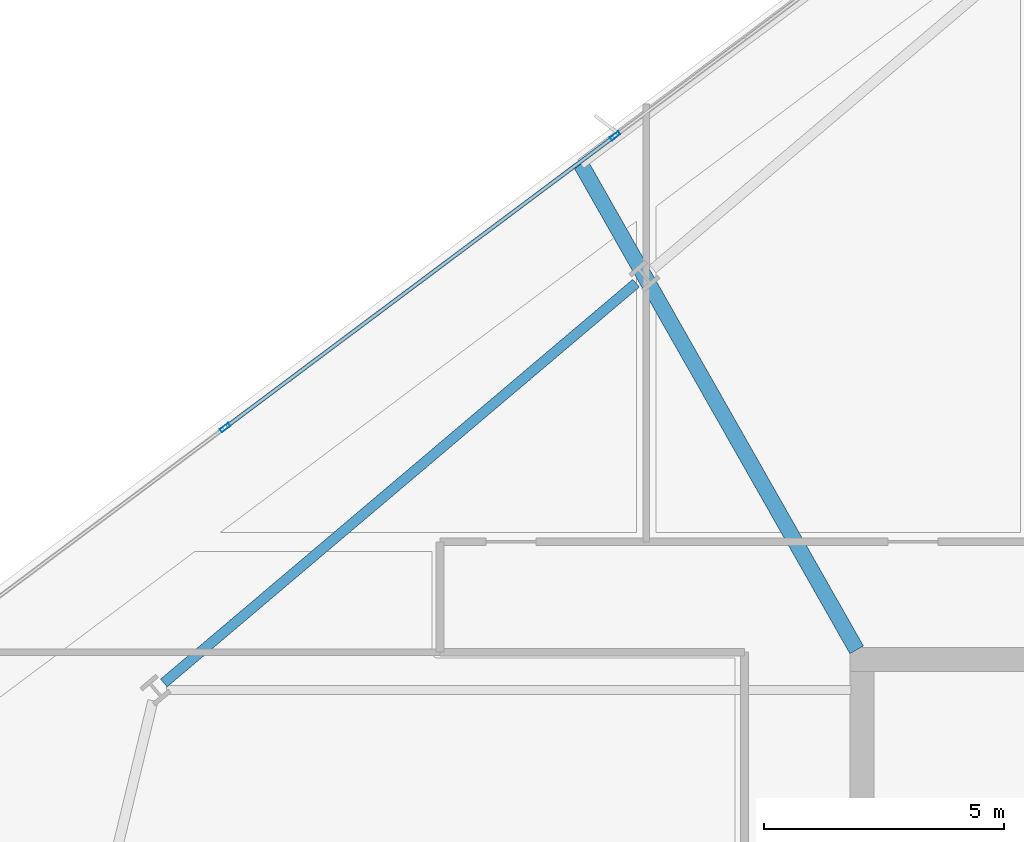
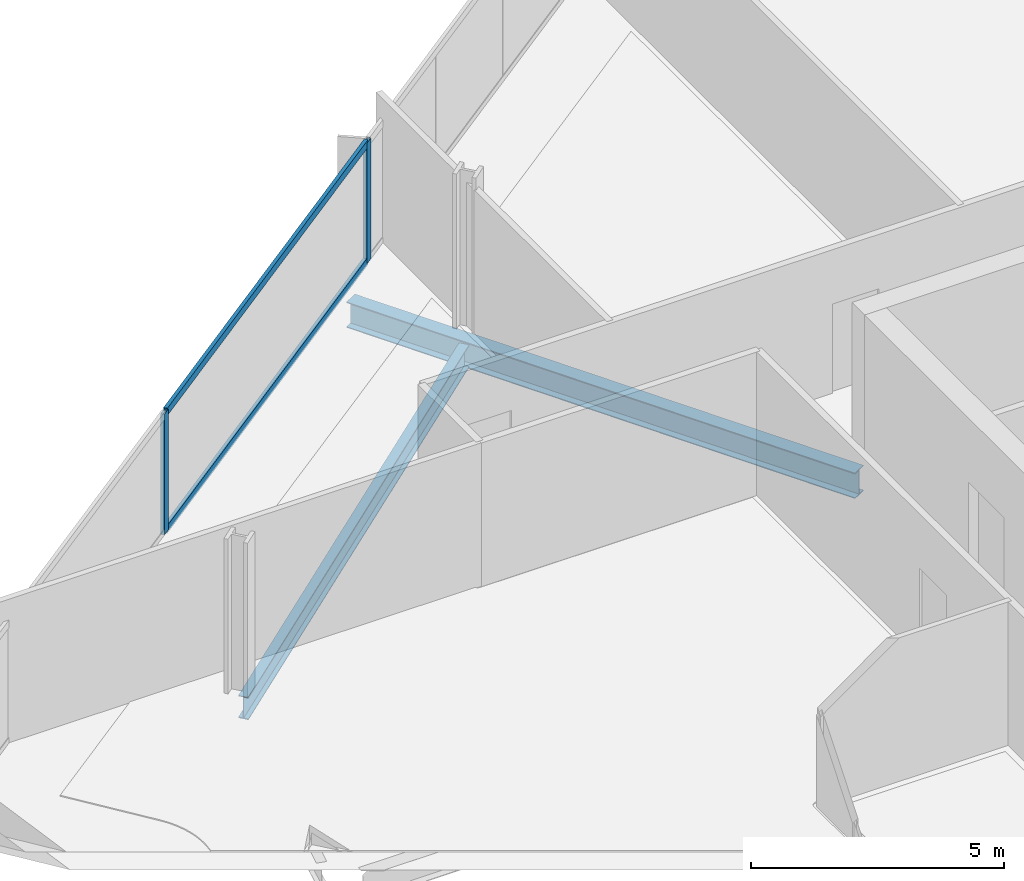
# One storey, part 14 of 32: 4 members, 2 beams, 1 element without a shape of its own.
"""IFC4 building model written with IfcOpenShell, lengths in metres."""

import ifcopenshell
import ifcopenshell.guid

model = None  # the IFC model being written
_history = None  # IfcOwnerHistory: only IFC2X3 demands one
_inside = {}  # id of a spatial element -> (the spatial element, [elements in it])
_under = {}  # id of a project, library or spatial element -> (it, [spatial elements below it])
_declared = {}  # id of a project -> (the project, [libraries it declares])
_typed = {}  # id of a type object -> (the type object, [elements of that type])
_made_of = {}  # id of a material, layer set ... -> (it, [elements and type objects made of it])


def new_model(schema):
    """Start an empty IFC model of exactly this schema.

    Asked for "IFC4X3", IfcOpenShell would pick the latest addendum, in which some entities
    have other attributes; the version numbers below select the first issue.
    IFC2X3 requires an IfcOwnerHistory on every rooted entity: one is made here for all.
    """
    global model, _history
    if schema == "IFC4X3":
        model = ifcopenshell.file(schema_version=(4, 3, 0, 0))
    else:
        model = ifcopenshell.file(schema=schema)
    _inside.clear()
    _under.clear()
    _declared.clear()
    _typed.clear()
    _made_of.clear()
    _history = None
    if model.schema == "IFC2X3":
        org = make("IfcOrganization", Name="unknown")
        user = make(
            "IfcPersonAndOrganization",
            ThePerson=make("IfcPerson", FamilyName="unknown"),
            TheOrganization=org,
        )
        app = make(
            "IfcApplication",
            ApplicationDeveloper=org,
            Version="unknown",
            ApplicationFullName="unknown",
            ApplicationIdentifier="unknown",
        )
        _history = make(
            "IfcOwnerHistory",
            OwningUser=user,
            OwningApplication=app,
            ChangeAction="ADDED",
            CreationDate=0,
        )
    return model


def make(cls, **values):
    """One entity of the class cls with the attributes given. An attribute that is None is left unset."""
    return model.create_entity(
        cls, **{name: value for name, value in values.items() if value is not None}
    )


def rooted(cls, **values):
    """An entity with a GlobalId (a new one), such as an element, a storey or a relation."""
    return make(cls, GlobalId=ifcopenshell.guid.new(), OwnerHistory=_history, **values)


def si_unit(unit_type, name, prefix=None):
    """IfcSIUnit, for example si_unit("LENGTHUNIT", "METRE", prefix="MILLI")."""
    return make("IfcSIUnit", UnitType=unit_type, Prefix=prefix, Name=name)


def assignment(units):
    """IfcUnitAssignment: the units of a project."""
    return None if units is None else make("IfcUnitAssignment", Units=units)


def point(xyz):
    """IfcCartesianPoint."""
    return None if xyz is None else make("IfcCartesianPoint", Coordinates=xyz)


def direction(xyz):
    """IfcDirection."""
    return None if xyz is None else make("IfcDirection", DirectionRatios=xyz)


def frame(location, z_axis=None, x_axis=None):
    """IfcAxis2Placement3D, a coordinate frame: its origin and axes. An axis left out is left unset."""
    return make(
        "IfcAxis2Placement3D",
        Location=point(location),
        Axis=direction(z_axis),
        RefDirection=direction(x_axis),
    )


def frame_2d(location, x_axis=None):
    """IfcAxis2Placement2D, a coordinate frame in the plane: its origin and x axis."""
    return make(
        "IfcAxis2Placement2D", Location=point(location), RefDirection=direction(x_axis)
    )


def origin():
    """The frame at (0, 0, 0) with its axes left unset."""
    return frame((0.0, 0.0, 0.0))


def origin_2d():
    """The frame at (0, 0) in the plane with its x axis left unset."""
    return frame_2d((0.0, 0.0))


def place(relative_to, where):
    """IfcLocalPlacement: puts the frame where relative to a parent placement (None: the world)."""
    return make(
        "IfcLocalPlacement", PlacementRelTo=relative_to, RelativePlacement=where
    )


def context(
    kind, dimensions, precision=None, world=None, true_north=None, identifier=None
):
    """IfcGeometricRepresentationContext, for example the 3D "Model" context."""
    return make(
        "IfcGeometricRepresentationContext",
        ContextIdentifier=identifier,
        ContextType=kind,
        CoordinateSpaceDimension=dimensions,
        Precision=precision,
        WorldCoordinateSystem=world,
        TrueNorth=true_north,
    )


def subcontext(parent, identifier, kind, view, scale=None):
    """IfcGeometricRepresentationSubContext, for example "Body" below "Model"."""
    return make(
        "IfcGeometricRepresentationSubContext",
        ContextIdentifier=identifier,
        ContextType=kind,
        ParentContext=parent,
        TargetScale=scale,
        TargetView=view,
    )


def project(units=None, contexts=None):
    """IfcProject with its units and contexts."""
    return rooted(
        "IfcProject",
        Name="project",
        RepresentationContexts=contexts,
        UnitsInContext=assignment(units),
    )


def spatial(cls, under=None, at=None, **own):
    """A site, building, storey or space (cls), placed at a placement, below another one or the project."""
    s = rooted(cls, ObjectPlacement=at, **own)
    if under is not None:
        _under.setdefault(under.id(), (under, []))[1].append(s)
    return s


def profile(cls, at=None, kind="AREA", **sizes):
    """A parametric profile (cls). Its sizes go by their IFC names, for example OverallWidth=200.0."""
    return make(cls, ProfileType=kind, Position=at, **sizes)


def hollow_rectangle(**sizes):
    """IfcRectangleHollowProfileDef."""
    return profile("IfcRectangleHollowProfileDef", **sizes)


def i_section(**sizes):
    """IfcIShapeProfileDef."""
    return profile("IfcIShapeProfileDef", **sizes)


def extrude(swept, where, along, depth):
    """IfcExtrudedAreaSolid: the profile swept, set in the frame where, extruded along a direction by depth."""
    return make(
        "IfcExtrudedAreaSolid",
        SweptArea=swept,
        Position=where,
        ExtrudedDirection=direction(along),
        Depth=depth,
    )


def shape(context_of_items, identifier, shape_type, items):
    """IfcShapeRepresentation: the items that make up one representation, for example the "Body"."""
    return make(
        "IfcShapeRepresentation",
        ContextOfItems=context_of_items,
        RepresentationIdentifier=identifier,
        RepresentationType=shape_type,
        Items=items,
    )


def material(Name=None, Category=None):
    """IfcMaterial."""
    return make("IfcMaterial", Name=Name, Category=Category)


def material_profile(
    of_material, cross_section, Name=None, Category=None, Priority=None
):
    """IfcMaterialProfile: a cross section and its material."""
    return make(
        "IfcMaterialProfile",
        Name=Name,
        Material=of_material,
        Profile=cross_section,
        Priority=Priority,
        Category=Category,
    )


def profile_set(profiles, Name=None, composite=None):
    """IfcMaterialProfileSet."""
    return make(
        "IfcMaterialProfileSet",
        Name=Name,
        MaterialProfiles=profiles,
        CompositeProfile=composite,
    )


def made_of(thing, what):
    """Note that an element or type object is made of a material, layer set ...; save() writes the relation."""
    if what is not None:
        _made_of.setdefault(what.id(), (what, []))[1].append(thing)
    return thing


def type_object(cls, material=None, **own):
    """A type object (cls), such as IfcWallType, which elements share."""
    return made_of(rooted(cls, **own), material)


def element(
    cls,
    number,
    at=None,
    inside=None,
    cuts=None,
    type_object=None,
    material=None,
    context=None,
    identifier="Body",
    shape_type=None,
    held_by="IfcProductDefinitionShape",
    body=None,
    shapes=None,
    **own,
):
    """One element of the class cls, such as IfcWall. Its Tag is "e" and its number.

    at: its placement. inside: the storey or other place that contains it. cuts: it is an
    opening in that element (IfcRelVoidsElement). A single representation is given by context,
    identifier, shape_type and body (its items); several are given by shapes. held_by: the class
    of the entity that holds the representations. save() writes the other relations.
    """
    e = rooted(cls, Tag="e%d" % number, ObjectPlacement=at, **own)
    if body is not None:
        shapes = [shape(context, identifier, shape_type, body)]
    if shapes is not None:
        e.Representation = make(held_by, Representations=shapes)
    if inside is not None:
        _inside.setdefault(inside.id(), (inside, []))[1].append(e)
    if cuts is not None:
        rooted(
            "IfcRelVoidsElement", RelatingBuildingElement=cuts, RelatedOpeningElement=e
        )
    if type_object is not None:
        _typed.setdefault(type_object.id(), (type_object, []))[1].append(e)
    return made_of(e, material)


def aggregate(whole, parts):
    """IfcRelAggregates: a whole, such as a stair, and the parts it consists of."""
    return rooted("IfcRelAggregates", RelatingObject=whole, RelatedObjects=parts)


def save(model, path):
    """Write the relations noted so far, then the file.

    IfcRelAggregates (storeys below a building ...), IfcRelContainedInSpatialStructure (elements
    in a storey), IfcRelDefinesByType, IfcRelAssociatesMaterial and IfcRelDeclares: one each for
    every whole, place, type object, material and project.
    """
    for whole, parts in _under.values():
        aggregate(whole, parts)
    for where, things in _inside.values():
        rooted(
            "IfcRelContainedInSpatialStructure",
            RelatedElements=things,
            RelatingStructure=where,
        )
    for kind, things in _typed.values():
        rooted("IfcRelDefinesByType", RelatedObjects=things, RelatingType=kind)
    for what, things in _made_of.values():
        rooted("IfcRelAssociatesMaterial", RelatedObjects=things, RelatingMaterial=what)
    for by, libraries in _declared.values():
        rooted("IfcRelDeclares", RelatingContext=by, RelatedDefinitions=libraries)
    model.write(path)


model = new_model("IFC4")

# Units and contexts
model_context = context("Model", 3, precision=1e-05, world=origin(), true_north=direction((0.0, 1.0)))
body_context = subcontext(model_context, "Body", "Model", "MODEL_VIEW")
ifc_project = project(units=[si_unit("LENGTHUNIT", "METRE"), si_unit("AREAUNIT", "SQUARE_METRE"), si_unit("VOLUMEUNIT", "CUBIC_METRE"), si_unit("PLANEANGLEUNIT", "RADIAN"), si_unit("MASSUNIT", "GRAM", prefix="KILO")], contexts=[model_context])

# Site, building, storey
site_placement = place(None, origin())
site = spatial("IfcSite", under=ifc_project, at=site_placement, CompositionType="ELEMENT")
building_placement = place(site_placement, origin())
building = spatial("IfcBuilding", under=site, at=building_placement, Name="Haldenkirk Collegiate Tower", CompositionType="ELEMENT")
storey_placement = place(building_placement, frame((0.0, 0.0, 151.949951171875)))
storey = spatial("IfcBuildingStorey", under=building, at=storey_placement, Name="L37", CompositionType="ELEMENT", Elevation=151.949951171875)

# Beams
ifc_material_1 = material(Name="Steel ASTM A992 Grade 50", Category="steel")
ifc_material_profile_1 = material_profile(ifc_material_1, i_section(OverallWidth=0.324951171875, OverallDepth=0.615966796875, WebThickness=0.013916015625, FlangeThickness=0.021484375, at=origin_2d()), Name="W24X117")
ifc_profile_set_1 = profile_set([ifc_material_profile_1], Name="Steel ASTM A992 Grade 50")
beam_type_1 = type_object("IfcBeamType", Name="BM-GIRDER-W24X117", PredefinedType="BEAM", material=ifc_profile_set_1)
beam_1_placement = place(storey_placement, frame((21.135986328125, 44.328369140625, -0.597900390625), z_axis=(0.493730635695, -0.869614891418, 0.0), x_axis=(0.869614891418, 0.493730635695, 0.0)))
element("IfcBeam", 1, at=beam_1_placement, inside=storey, type_object=beam_type_1, Name="L37 primary floor girder 12", PredefinedType="BEAM", context=body_context, shape_type="SweptSolid", body=[
    extrude(i_section(OverallWidth=0.324951171875, OverallDepth=0.615966796875, WebThickness=0.013916015625, FlangeThickness=0.021484375, at=origin_2d()), origin(), (0.0, 0.0, 1.0), 11.64697265625),
])
ifc_material_profile_2 = material_profile(ifc_material_1, i_section(OverallWidth=0.2119140625, OverallDepth=0.5439453125, WebThickness=0.01318359375, FlangeThickness=0.021240234375, at=origin_2d()), Name="W21X83")
ifc_profile_set_2 = profile_set([ifc_material_profile_2], Name="Steel ASTM A992 Grade 50")
beam_type_2 = type_object("IfcBeamType", Name="BM-SPANDREL-W21X83", PredefinedType="SPANDREL", material=ifc_profile_set_2)
beam_2_placement = place(storey_placement, frame((22.288818359375, 41.841796875, -0.56201171875), z_axis=(-0.76322543275, -0.64613229203, 0.0), x_axis=(0.64613229203, -0.76322543275, 0.0)))
element("IfcBeam", 2, at=beam_2_placement, inside=storey, type_object=beam_type_2, Name="L37 perimeter spandrel beam 11", PredefinedType="SPANDREL", context=body_context, shape_type="SweptSolid", body=[
    extrude(i_section(OverallWidth=0.2119140625, OverallDepth=0.5439453125, WebThickness=0.01318359375, FlangeThickness=0.021240234375, at=origin_2d()), origin(), (0.0, 0.0, 1.0), 12.89794921875),
])

# Curtain wall, members
ifc_material_2 = material(Name="Anodised architectural bronze aluminium", Category="aluminium")
curtain_wall_type = type_object("IfcCurtainWallType", Name="CW-SYS1-CONVEX-LOW", PredefinedType="USERDEFINED", material=ifc_material_2)
curtain_wall_placement = place(storey_placement, origin())
curtain_wall = element("IfcCurtainWall", 3, at=curtain_wall_placement, inside=storey, type_object=curtain_wall_type, Name="L37 Lower tower convex bronze-framed unitised curtain wall", ObjectType="UNITISED CURTAIN WALL", PredefinedType="USERDEFINED")
ifc_material_profile_3 = material_profile(ifc_material_2, hollow_rectangle(XDim=0.080078125, YDim=0.219970703125, WallThickness=0.0048828125, at=origin_2d()), Name="CW-MUL-1A")
ifc_profile_set_3 = profile_set([ifc_material_profile_3], Name="Anodised architectural bronze aluminium")
member_type_1 = type_object("IfcMemberType", Name="CW-MUL-1A", PredefinedType="MULLION", material=ifc_profile_set_3)
member_1_placement = place(storey_placement, frame((13.7236328125, 38.833251953125, 0.0), z_axis=(0.0, 0.0, 1.0), x_axis=(-0.599025366751, 0.800730048136, 0.0)))
member_1 = element("IfcMember", 4, at=member_1_placement, type_object=member_type_1, Name="CW-1A mullion 2", PredefinedType="MULLION", context=body_context, shape_type="SweptSolid", body=[
    extrude(hollow_rectangle(XDim=0.080078125, YDim=0.219970703125, WallThickness=0.0048828125, at=origin_2d()), origin(), (0.0, 0.0, 1.0), 2.9111328125),
])
member_2_placement = place(storey_placement, frame((21.85107421875, 44.913330078125, 0.0), z_axis=(0.0, 0.0, 1.0), x_axis=(-0.599025366751, 0.800730048136, 0.0)))
member_2 = element("IfcMember", 5, at=member_2_placement, type_object=member_type_1, Name="CW-1A mullion 3", PredefinedType="MULLION", context=body_context, shape_type="SweptSolid", body=[
    extrude(hollow_rectangle(XDim=0.080078125, YDim=0.219970703125, WallThickness=0.0048828125, at=origin_2d()), origin(), (0.0, 0.0, 1.0), 2.9111328125),
])
ifc_material_profile_4 = material_profile(ifc_material_2, hollow_rectangle(XDim=0.080078125, YDim=0.179931640625, WallThickness=0.0048828125, at=origin_2d()), Name="CW-TRN-1A")
ifc_profile_set_4 = profile_set([ifc_material_profile_4], Name="Anodised architectural bronze aluminium")
member_type_2 = type_object("IfcMemberType", Name="CW-TRN-1A", PredefinedType="USERDEFINED", material=ifc_profile_set_4)
member_3_placement = place(storey_placement, frame((13.755615234375, 38.857177734375, 0.0400390625), z_axis=(0.80073254291, 0.599022031919, 0.0), x_axis=(-0.599022031919, 0.80073254291, 0.0)))
member_3 = element("IfcMember", 6, at=member_3_placement, type_object=member_type_2, Name="CW-1A transom 2.1", ObjectType="TRANSOM", PredefinedType="USERDEFINED", context=body_context, shape_type="SweptSolid", body=[
    extrude(hollow_rectangle(XDim=0.080078125, YDim=0.179931640625, WallThickness=0.0048828125, at=origin_2d()), origin(), (0.0, 0.0, 1.0), 10.070068359375),
])
member_4_placement = place(storey_placement, frame((13.755615234375, 38.857177734375, 2.87109375), z_axis=(0.80073254291, 0.599022031919, 0.0), x_axis=(-0.599022031919, 0.80073254291, 0.0)))
member_4 = element("IfcMember", 7, at=member_4_placement, type_object=member_type_2, Name="CW-1A transom 2.2", ObjectType="TRANSOM", PredefinedType="USERDEFINED", context=body_context, shape_type="SweptSolid", body=[
    extrude(hollow_rectangle(XDim=0.080078125, YDim=0.179931640625, WallThickness=0.0048828125, at=origin_2d()), origin(), (0.0, 0.0, 1.0), 10.070068359375),
])
aggregate(curtain_wall, [member_1, member_2, member_3, member_4])

save(model, "model.ifc")
